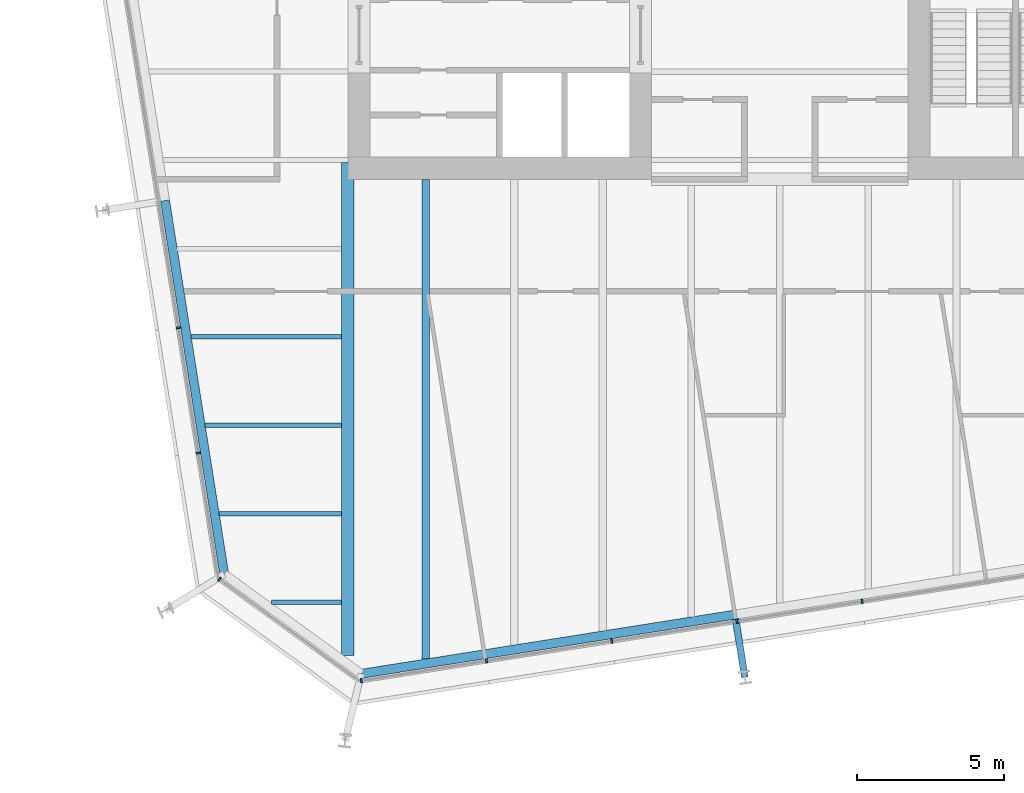
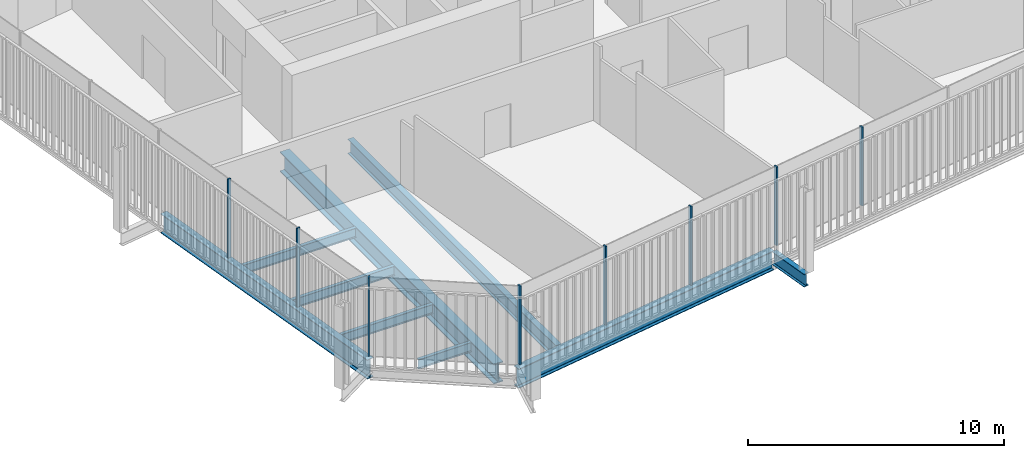
# One storey, part 2 of 21: 9 beams, 8 members, 3 elements without a shape of their own.
"""IFC4 building model written with IfcOpenShell, lengths in metres."""

from ifc_helpers import new_model, si_unit, direction, frame, origin, origin_2d, place, context, subcontext, project, spatial, rectangle, i_section, extrude, material, layer, layer_set, material_profile, profile_set, type_object, element, aggregate, save


model = new_model("IFC4")

# Units and contexts
model_context = context("Model", 3, precision=1e-05, world=origin(), true_north=direction((0.0, 1.0)))
body_context = subcontext(model_context, "Body", "Model", "MODEL_VIEW")
ifc_project = project(units=[si_unit("LENGTHUNIT", "METRE"), si_unit("AREAUNIT", "SQUARE_METRE"), si_unit("VOLUMEUNIT", "CUBIC_METRE"), si_unit("PLANEANGLEUNIT", "RADIAN"), si_unit("MASSUNIT", "GRAM", prefix="KILO")], contexts=[model_context])

# Site, building, storey
site_placement = place(None, origin())
site = spatial("IfcSite", under=ifc_project, at=site_placement, CompositionType="ELEMENT")
building_placement = place(site_placement, origin())
building = spatial("IfcBuilding", under=site, at=building_placement, Name="Millrace Tower", CompositionType="ELEMENT")
storey_placement = place(building_placement, frame((0.0, 0.0, 149.0)))
storey = spatial("IfcBuildingStorey", under=building, at=storey_placement, Name="L33", CompositionType="ELEMENT", Elevation=149.0)

# Curtain wall, member
ifc_material_1 = material(Name="Aluminium and glass", Category="aluminium")
ifc_layer = layer(ifc_material_1, 0.14990234375)
ifc_layer_set = layer_set([ifc_layer], Name="Aluminium and glass")
curtain_wall_type = type_object("IfcCurtainWallType", Name="CW-1 office vision curtain wall", PredefinedType="NOTDEFINED", material=ifc_layer_set)
placement = place(storey_placement, origin())
curtain_wall_1 = element("IfcCurtainWall", 1, at=placement, inside=storey, type_object=curtain_wall_type, Name="Curtain wall C-F01 L33", PredefinedType="NOTDEFINED")
ifc_material_2 = material(Name="Aluminium", Category="aluminium")
ifc_material_profile_1 = material_profile(ifc_material_2, rectangle(XDim=0.06494140625, YDim=0.14990234375, at=origin_2d()))
ifc_profile_set_1 = profile_set([ifc_material_profile_1], Name="Aluminium")
member_type = type_object("IfcMemberType", Name="CW-1 office vision curtain wall mullion", PredefinedType="MULLION", material=ifc_profile_set_1)
member_1_placement = place(storey_placement, frame((-19.00146484375, -23.2177734375, 0.139892578125), z_axis=(0.0, 0.0, 1.0), x_axis=(0.809016981623, -0.587785269844, 0.0)))
member_1 = element("IfcMember", 2, at=member_1_placement, type_object=member_type, Name="CW1 mullion C-F01.1", PredefinedType="MULLION", context=body_context, shape_type="SweptSolid", body=[
    extrude(rectangle(XDim=0.06494140625, YDim=0.14990234375, at=origin_2d()), origin(), (0.0, 0.0, 1.0), 3.760009765625),
])
aggregate(curtain_wall_1, [member_1])

# Curtain wall, members
curtain_wall_2 = element("IfcCurtainWall", 3, at=placement, inside=storey, type_object=curtain_wall_type, Name="Curtain wall C-F02 L33", PredefinedType="NOTDEFINED")
member_2_placement = place(storey_placement, frame((-14.191650390625, -26.65673828125, 0.139892578125), z_axis=(0.0, 0.0, 1.0), x_axis=(0.98768833929, 0.15643447328, 0.0)))
member_2 = element("IfcMember", 4, at=member_2_placement, type_object=member_type, Name="CW1 mullion C-F02.1", PredefinedType="MULLION", context=body_context, shape_type="SweptSolid", body=[
    extrude(rectangle(XDim=0.06494140625, YDim=0.14990234375, at=origin_2d()), origin(), (0.0, 0.0, 1.0), 3.760009765625),
])
member_3_placement = place(storey_placement, frame((-9.944580078125, -25.98388671875, 0.139892578125), z_axis=(0.0, 0.0, 1.0), x_axis=(0.98768833929, 0.15643447328, 0.0)))
member_3 = element("IfcMember", 5, at=member_3_placement, type_object=member_type, Name="CW1 mullion C-F02.2", PredefinedType="MULLION", context=body_context, shape_type="SweptSolid", body=[
    extrude(rectangle(XDim=0.06494140625, YDim=0.14990234375, at=origin_2d()), origin(), (0.0, 0.0, 1.0), 3.760009765625),
])
member_4_placement = place(storey_placement, frame((-5.697509765625, -25.311279296875, 0.139892578125), z_axis=(0.0, 0.0, 1.0), x_axis=(0.98768833929, 0.15643447328, 0.0)))
member_4 = element("IfcMember", 6, at=member_4_placement, type_object=member_type, Name="CW1 mullion C-F02.3", PredefinedType="MULLION", context=body_context, shape_type="SweptSolid", body=[
    extrude(rectangle(XDim=0.06494140625, YDim=0.14990234375, at=origin_2d()), origin(), (0.0, 0.0, 1.0), 3.760009765625),
])
member_5_placement = place(storey_placement, frame((-1.450439453125, -24.638671875, 0.139892578125), z_axis=(0.0, 0.0, 1.0), x_axis=(0.98768833929, 0.15643447328, 0.0)))
member_5 = element("IfcMember", 7, at=member_5_placement, type_object=member_type, Name="CW1 mullion C-F02.4", PredefinedType="MULLION", context=body_context, shape_type="SweptSolid", body=[
    extrude(rectangle(XDim=0.06494140625, YDim=0.14990234375, at=origin_2d()), origin(), (0.0, 0.0, 1.0), 3.760009765625),
])
member_6_placement = place(storey_placement, frame((2.796630859375, -23.966064453125, 0.139892578125), z_axis=(0.0, 0.0, 1.0), x_axis=(0.98768833929, 0.15643447328, 0.0)))
member_6 = element("IfcMember", 8, at=member_6_placement, type_object=member_type, Name="CW1 mullion C-F02.5", PredefinedType="MULLION", context=body_context, shape_type="SweptSolid", body=[
    extrude(rectangle(XDim=0.06494140625, YDim=0.14990234375, at=origin_2d()), origin(), (0.0, 0.0, 1.0), 3.760009765625),
])
aggregate(curtain_wall_2, [member_2, member_3, member_4, member_5, member_6])

curtain_wall_3 = element("IfcCurtainWall", 9, at=placement, inside=storey, type_object=curtain_wall_type, Name="Curtain wall C-F08 L33", PredefinedType="NOTDEFINED")
member_7_placement = place(storey_placement, frame((-20.39794921875, -14.687744140625, 0.139892578125), z_axis=(0.0, 0.0, 1.0), x_axis=(0.15643447328, -0.98768833929, 0.0)))
member_7 = element("IfcMember", 10, at=member_7_placement, type_object=member_type, Name="CW1 mullion C-F08.8", PredefinedType="MULLION", context=body_context, shape_type="SweptSolid", body=[
    extrude(rectangle(XDim=0.06494140625, YDim=0.14990234375, at=origin_2d()), origin(), (0.0, 0.0, 1.0), 3.760009765625),
])
member_8_placement = place(storey_placement, frame((-19.725341796875, -18.934814453125, 0.139892578125), z_axis=(0.0, 0.0, 1.0), x_axis=(0.15643447328, -0.98768833929, 0.0)))
member_8 = element("IfcMember", 11, at=member_8_placement, type_object=member_type, Name="CW1 mullion C-F08.9", PredefinedType="MULLION", context=body_context, shape_type="SweptSolid", body=[
    extrude(rectangle(XDim=0.06494140625, YDim=0.14990234375, at=origin_2d()), origin(), (0.0, 0.0, 1.0), 3.760009765625),
])
aggregate(curtain_wall_3, [member_7, member_8])

# Beams
ifc_material_3 = material(Name="Steel ASTM A992 Grade 50", Category="steel")
ifc_material_profile_2 = material_profile(ifc_material_3, i_section(OverallWidth=0.15234375, OverallDepth=0.449462890625, WebThickness=0.007568359375, FlangeThickness=0.0107421875, FilletRadius=0.01025390625, at=origin_2d()))
ifc_profile_set_2 = profile_set([ifc_material_profile_2], Name="Steel ASTM A992 Grade 50")
beam_type_1 = type_object("IfcBeamType", Name="Floor beam W18x35", PredefinedType="JOIST", material=ifc_profile_set_2)
beam_1_placement = place(storey_placement, frame((-19.01123046875, -21.0, -0.384765625), z_axis=(1.0, 0.0, 0.0), x_axis=(0.0, 1.0, 0.0)))
element("IfcBeam", 12, at=beam_1_placement, inside=storey, type_object=beam_type_1, Name="BM-C-L33-S1-S002", PredefinedType="JOIST", context=body_context, shape_type="SweptSolid", body=[
    extrude(i_section(OverallWidth=0.15234375, OverallDepth=0.449462890625, WebThickness=0.007568359375, FlangeThickness=0.0107421875, FilletRadius=0.01025390625, at=origin_2d()), origin(), (0.0, 0.0, 1.0), 4.151611328125),
])
beam_2_placement = place(storey_placement, frame((-19.486328125, -18.0, -0.384765625), z_axis=(1.0, 0.0, 0.0), x_axis=(0.0, 1.0, 0.0)))
element("IfcBeam", 13, at=beam_2_placement, inside=storey, type_object=beam_type_1, Name="BM-C-L33-S1-S004", PredefinedType="JOIST", context=body_context, shape_type="SweptSolid", body=[
    extrude(i_section(OverallWidth=0.15234375, OverallDepth=0.449462890625, WebThickness=0.007568359375, FlangeThickness=0.0107421875, FilletRadius=0.01025390625, at=origin_2d()), origin(), (0.0, 0.0, 1.0), 4.626708984375),
])
beam_3_placement = place(storey_placement, frame((-19.96142578125, -15.0, -0.384765625), z_axis=(1.0, 0.0, 0.0), x_axis=(0.0, 1.0, 0.0)))
element("IfcBeam", 14, at=beam_3_placement, inside=storey, type_object=beam_type_1, Name="BM-C-L33-S1-S006", PredefinedType="JOIST", context=body_context, shape_type="SweptSolid", body=[
    extrude(i_section(OverallWidth=0.15234375, OverallDepth=0.449462890625, WebThickness=0.007568359375, FlangeThickness=0.0107421875, FilletRadius=0.01025390625, at=origin_2d()), origin(), (0.0, 0.0, 1.0), 5.101806640625),
])
beam_4_placement = place(storey_placement, frame((-17.246337890625, -24.0, -0.384765625), z_axis=(1.0, 0.0, 0.0), x_axis=(0.0, 1.0, 0.0)))
element("IfcBeam", 15, at=beam_4_placement, inside=storey, type_object=beam_type_1, Name="BM-C-L33-S1-S001", PredefinedType="JOIST", context=body_context, shape_type="SweptSolid", body=[
    extrude(i_section(OverallWidth=0.15234375, OverallDepth=0.449462890625, WebThickness=0.007568359375, FlangeThickness=0.0107421875, FilletRadius=0.01025390625, at=origin_2d()), origin(), (0.0, 0.0, 1.0), 2.38671875),
])
ifc_material_4 = material(Name="Steel ASTM A992 Grade 50", Category="steel")
ifc_material_profile_3 = material_profile(ifc_material_4, i_section(OverallWidth=0.256591796875, OverallDepth=0.693359375, WebThickness=0.014404296875, FlangeThickness=0.023681640625, FilletRadius=0.01513671875, at=origin_2d()))
ifc_profile_set_3 = profile_set([ifc_material_profile_3], Name="Steel ASTM A992 Grade 50")
beam_type_2 = type_object("IfcBeamType", Name="Floor beam W27x114", PredefinedType="JOIST", material=ifc_profile_set_3)
beam_5_placement = place(storey_placement, frame((-12.0, -25.92236328125, -0.506591796875), z_axis=(0.0, 1.0, 0.0), x_axis=(-1.0, 0.0, 0.0)))
element("IfcBeam", 16, at=beam_5_placement, inside=storey, type_object=beam_type_2, Name="BM-C-L33-S1-S040", PredefinedType="JOIST", context=body_context, shape_type="SweptSolid", body=[
    extrude(i_section(OverallWidth=0.256591796875, OverallDepth=0.693359375, WebThickness=0.014404296875, FlangeThickness=0.023681640625, FilletRadius=0.01513671875, at=origin_2d()), origin(), (0.0, 0.0, 1.0), 16.2724609375),
])
ifc_material_5 = material(Name="Steel ASTM A992 Grade 50", Category="steel")
ifc_material_profile_4 = material_profile(ifc_material_5, i_section(OverallWidth=0.424072265625, OverallDepth=0.947509765625, WebThickness=0.02392578125, FlangeThickness=0.042724609375, FilletRadius=0.024169921875, at=origin_2d()))
ifc_profile_set_4 = profile_set([ifc_material_profile_4], Name="Steel ASTM A992 Grade 50")
beam_type_3 = type_object("IfcBeamType", Name="Girder medium span W36x302", PredefinedType="BEAM", material=ifc_profile_set_4)
beam_6_placement = place(storey_placement, frame((-14.64990234375, -25.806640625, -0.6337890625), z_axis=(0.0, 1.0, 0.0), x_axis=(-1.0, 0.0, 0.0)))
element("IfcBeam", 17, at=beam_6_placement, inside=storey, type_object=beam_type_3, Name="BM-C-L33-S1-G058", PredefinedType="BEAM", context=body_context, shape_type="SweptSolid", body=[
    extrude(i_section(OverallWidth=0.424072265625, OverallDepth=0.947509765625, WebThickness=0.02392578125, FlangeThickness=0.042724609375, FilletRadius=0.024169921875, at=origin_2d()), origin(), (0.0, 0.0, 1.0), 16.720703125),
])
ifc_material_6 = material(Name="Steel ASTM A992 Grade 50", Category="steel")
ifc_material_profile_5 = material_profile(ifc_material_6, i_section(OverallWidth=0.23046875, OverallDepth=0.6171875, WebThickness=0.01318359375, FlangeThickness=0.022216796875, FilletRadius=0.012939453125, at=origin_2d()))
ifc_profile_set_5 = profile_set([ifc_material_profile_5], Name="Steel ASTM A992 Grade 50")
beam_type_4 = type_object("IfcBeamType", Name="Link beam W24x94", PredefinedType="BEAM", material=ifc_profile_set_5)
beam_7_placement = place(storey_placement, frame((-1.494384765625, -24.569580078125, -0.468505859375), z_axis=(0.156476509441, -0.987681680499, 0.0), x_axis=(0.987681680499, 0.156476509441, 0.0)))
element("IfcBeam", 18, at=beam_7_placement, inside=storey, type_object=beam_type_4, Name="LNK-C-L33-S1-15", PredefinedType="BEAM", context=body_context, shape_type="SweptSolid", body=[
    extrude(i_section(OverallWidth=0.23046875, OverallDepth=0.6171875, WebThickness=0.01318359375, FlangeThickness=0.022216796875, FilletRadius=0.012939453125, at=origin_2d()), origin(), (0.0, 0.0, 1.0), 2.000244140625),
])
ifc_material_7 = material(Name="Steel ASTM A992 Grade 50", Category="steel")
ifc_material_profile_6 = material_profile(ifc_material_7, i_section(OverallWidth=0.307373046875, OverallDepth=0.927001953125, WebThickness=0.01953125, FlangeThickness=0.031982421875, FilletRadius=0.01904296875, at=origin_2d()))
ifc_profile_set_6 = profile_set([ifc_material_profile_6], Name="Steel ASTM A992 Grade 50")
beam_type_5 = type_object("IfcBeamType", Name="Ring beam medium span W36x194", PredefinedType="SPANDREL", material=ifc_profile_set_6)
beam_8_placement = place(storey_placement, frame((-18.841796875, -23.051025390625, -0.62353515625), z_axis=(-0.156436246498, 0.987688058438, 0.0), x_axis=(-0.987688058438, -0.156436246498, 0.0)))
element("IfcBeam", 19, at=beam_8_placement, inside=storey, type_object=beam_type_5, Name="RNG-C-L33-S1-01", PredefinedType="SPANDREL", context=body_context, shape_type="SweptSolid", body=[
    extrude(i_section(OverallWidth=0.307373046875, OverallDepth=0.927001953125, WebThickness=0.01953125, FlangeThickness=0.031982421875, FilletRadius=0.01904296875, at=origin_2d()), origin(), (0.0, 0.0, 1.0), 12.836181640625),
])
beam_9_placement = place(storey_placement, frame((-1.518310546875, -24.41796875, -0.62353515625), z_axis=(-0.987688523879, -0.15643330783, 0.0), x_axis=(0.15643330783, -0.987688523879, 0.0)))
element("IfcBeam", 20, at=beam_9_placement, inside=storey, type_object=beam_type_5, Name="RNG-C-L33-S1-15", PredefinedType="SPANDREL", context=body_context, shape_type="SweptSolid", body=[
    extrude(i_section(OverallWidth=0.307373046875, OverallDepth=0.927001953125, WebThickness=0.01953125, FlangeThickness=0.031982421875, FilletRadius=0.01904296875, at=origin_2d()), origin(), (0.0, 0.0, 1.0), 12.83642578125),
])

save(model, "model.ifc")
